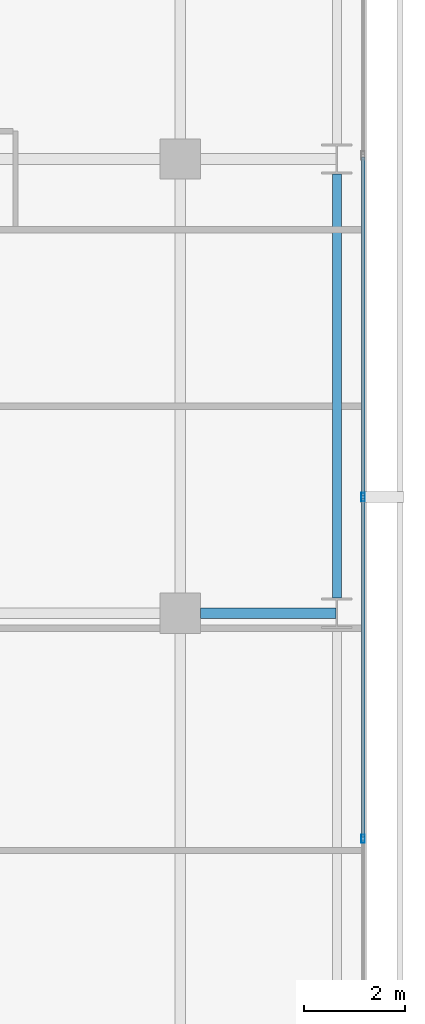
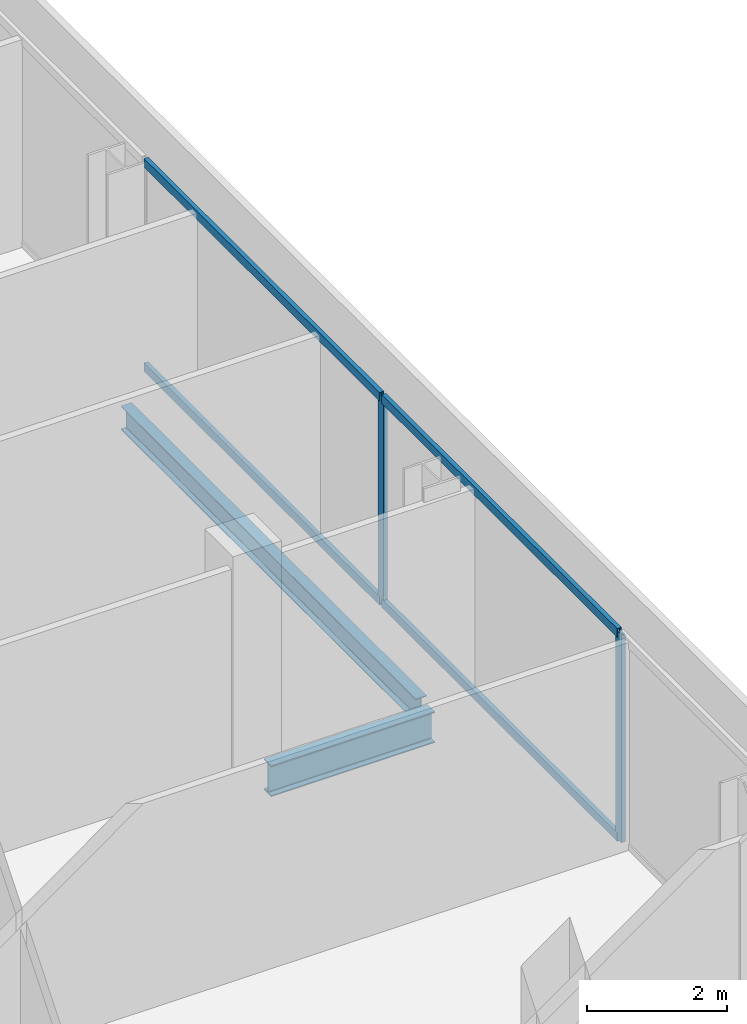
# One storey, part 17 of 34: 6 members, 2 beams, 1 element without a shape of its own.
"""IFC4 building model written with IfcOpenShell, lengths in metres."""

from ifc_helpers import new_model, si_unit, direction, frame, origin, origin_2d, place, context, subcontext, project, spatial, hollow_rectangle, i_section, extrude, material, layer, layer_set, material_profile, profile_set, type_object, element, aggregate, save


model = new_model("IFC4")

# Units and contexts
model_context = context("Model", 3, precision=1e-05, world=origin(), true_north=direction((0.0, 1.0)))
body_context = subcontext(model_context, "Body", "Model", "MODEL_VIEW")
ifc_project = project(units=[si_unit("LENGTHUNIT", "METRE"), si_unit("AREAUNIT", "SQUARE_METRE"), si_unit("VOLUMEUNIT", "CUBIC_METRE"), si_unit("PLANEANGLEUNIT", "RADIAN"), si_unit("MASSUNIT", "GRAM", prefix="KILO")], contexts=[model_context])

# Site, building, storey
site_placement = place(None, origin())
site = spatial("IfcSite", under=ifc_project, at=site_placement, CompositionType="ELEMENT")
building_placement = place(site_placement, origin())
building = spatial("IfcBuilding", under=site, at=building_placement, Name="Maruvema Waterfront Hotel and Observation Tower", CompositionType="ELEMENT")
storey_placement = place(building_placement, frame((0.0, 0.0, 208.25)))
storey = spatial("IfcBuildingStorey", under=building, at=storey_placement, Name="L51", CompositionType="ELEMENT", Elevation=208.25)

# Curtain wall, members
ifc_material_1 = material(Name="Anodised bronze aluminium and solar-control low-E IGU", Category="aluminium")
ifc_layer = layer(ifc_material_1, 0.159912109375, Name="Zone 2 Amber Inner Thermal Curtain Wall System CW-03")
ifc_layer_set = layer_set([ifc_layer], Name="Anodised bronze aluminium and solar-control low-E IGU")
curtain_wall_type = type_object("IfcCurtainWallType", Name="Zone 2 Amber Inner Thermal Curtain Wall System CW-03", PredefinedType="USERDEFINED", material=ifc_layer_set)
curtain_wall_placement = place(storey_placement, origin())
curtain_wall = element("IfcCurtainWall", 1, at=curtain_wall_placement, inside=storey, type_object=curtain_wall_type, Name="L51 Curtain Wall CW-L51-E", ObjectType="UNITISED CURTAIN WALL", PredefinedType="USERDEFINED")
ifc_material_2 = material(Name="Anodised architectural bronze aluminium", Category="aluminium")
ifc_material_profile_1 = material_profile(ifc_material_2, hollow_rectangle(XDim=0.070068359375, YDim=0.14990234375, WallThickness=0.00390625, at=origin_2d()), Name="ALU-T70x150")
ifc_profile_set_1 = profile_set([ifc_material_profile_1], Name="Anodised architectural bronze aluminium")
member_type_1 = type_object("IfcMemberType", Name="Curtain Wall Horizontal Transom ALU-T70x150", PredefinedType="USERDEFINED", material=ifc_profile_set_1)
member_1_placement = place(storey_placement, frame((62.419921875, 22.563232421875, 0.030029296875), z_axis=(0.0, 1.0, 0.0), x_axis=(-1.0, 0.0, 0.0)))
member_1 = element("IfcMember", 2, at=member_1_placement, type_object=member_type_1, Name="CW-03 transom 3.1", ObjectType="TRANSOM", PredefinedType="USERDEFINED", context=body_context, shape_type="SweptSolid", body=[
    extrude(hollow_rectangle(XDim=0.070068359375, YDim=0.14990234375, WallThickness=0.00390625, at=origin_2d()), origin(), (0.0, 0.0, 1.0), 6.706787109375),
])
member_2_placement = place(storey_placement, frame((62.419921875, 22.563232421875, 3.580078125), z_axis=(0.0, 1.0, 0.0), x_axis=(-1.0, 0.0, 0.0)))
member_2 = element("IfcMember", 3, at=member_2_placement, type_object=member_type_1, Name="CW-03 transom 3.2", ObjectType="TRANSOM", PredefinedType="USERDEFINED", context=body_context, shape_type="SweptSolid", body=[
    extrude(hollow_rectangle(XDim=0.070068359375, YDim=0.14990234375, WallThickness=0.00390625, at=origin_2d()), origin(), (0.0, 0.0, 1.0), 6.706787109375),
])
member_3_placement = place(storey_placement, frame((62.419921875, 29.330078125, 0.030029296875), z_axis=(0.0, 1.0, 0.0), x_axis=(-1.0, 0.0, 0.0)))
member_3 = element("IfcMember", 4, at=member_3_placement, type_object=member_type_1, Name="CW-03 transom 4.1", ObjectType="TRANSOM", PredefinedType="USERDEFINED", context=body_context, shape_type="SweptSolid", body=[
    extrude(hollow_rectangle(XDim=0.070068359375, YDim=0.14990234375, WallThickness=0.00390625, at=origin_2d()), origin(), (0.0, 0.0, 1.0), 6.70654296875),
])
member_4_placement = place(storey_placement, frame((62.419921875, 29.330078125, 3.580078125), z_axis=(0.0, 1.0, 0.0), x_axis=(-1.0, 0.0, 0.0)))
member_4 = element("IfcMember", 5, at=member_4_placement, type_object=member_type_1, Name="CW-03 transom 4.2", ObjectType="TRANSOM", PredefinedType="USERDEFINED", context=body_context, shape_type="SweptSolid", body=[
    extrude(hollow_rectangle(XDim=0.070068359375, YDim=0.14990234375, WallThickness=0.00390625, at=origin_2d()), origin(), (0.0, 0.0, 1.0), 6.70654296875),
])
ifc_material_3 = material(Name="Anodised architectural bronze aluminium", Category="aluminium")
ifc_material_profile_2 = material_profile(ifc_material_3, hollow_rectangle(XDim=0.06494140625, YDim=0.1650390625, WallThickness=0.00390625, at=origin_2d()), Name="ALU-M65x165")
ifc_profile_set_2 = profile_set([ifc_material_profile_2], Name="Anodised architectural bronze aluminium")
member_type_2 = type_object("IfcMemberType", Name="Curtain Wall Primary Mullion ALU-M65x165", PredefinedType="MULLION", material=ifc_profile_set_2)
member_5_placement = place(storey_placement, frame((62.419921875, 22.533447265625, 0.0), z_axis=(0.0, 0.0, 1.0), x_axis=(-1.0, 0.0, 0.0)))
member_5 = element("IfcMember", 6, at=member_5_placement, type_object=member_type_2, Name="CW-03 mullion 3", PredefinedType="MULLION", context=body_context, shape_type="SweptSolid", body=[
    extrude(hollow_rectangle(XDim=0.06494140625, YDim=0.1650390625, WallThickness=0.00390625, at=origin_2d()), origin(), (0.0, 0.0, 1.0), 3.610107421875),
])
member_6_placement = place(storey_placement, frame((62.419921875, 29.300048828125, 0.0), z_axis=(0.0, 0.0, 1.0), x_axis=(-1.0, 0.0, 0.0)))
member_6 = element("IfcMember", 7, at=member_6_placement, type_object=member_type_2, Name="CW-03 mullion 4", PredefinedType="MULLION", context=body_context, shape_type="SweptSolid", body=[
    extrude(hollow_rectangle(XDim=0.06494140625, YDim=0.1650390625, WallThickness=0.00390625, at=origin_2d()), origin(), (0.0, 0.0, 1.0), 3.610107421875),
])
aggregate(curtain_wall, [member_5, member_6, member_1, member_2, member_3, member_4])

# Beams
ifc_material_4 = material(Name="Steel ASTM A572 Grade 50", Category="steel")
ifc_material_profile_3 = material_profile(ifc_material_4, i_section(OverallWidth=0.178955078125, OverallDepth=0.409912109375, WebThickness=0.0087890625, FlangeThickness=0.014404296875, FilletRadius=0.014892578125, at=origin_2d()), Name="W410x67.0")
ifc_profile_set_3 = profile_set([ifc_material_profile_3], Name="Steel ASTM A572 Grade 50")
beam_type_1 = type_object("IfcBeamType", Name="Perimeter Spandrel Beam W410x67.0", PredefinedType="SPANDREL", material=ifc_profile_set_3)
beam_1_placement = place(storey_placement, frame((61.89990234375, 27.300048828125, -0.445068359375), z_axis=(0.0, 1.0, 0.0), x_axis=(-1.0, 0.0, 0.0)))
element("IfcBeam", 8, at=beam_1_placement, inside=storey, type_object=beam_type_1, Name="L51 Floor Girder NS-31", PredefinedType="SPANDREL", context=body_context, shape_type="SweptSolid", body=[
    extrude(i_section(OverallWidth=0.178955078125, OverallDepth=0.409912109375, WebThickness=0.0087890625, FlangeThickness=0.014404296875, FilletRadius=0.014892578125, at=origin_2d()), origin(), (0.0, 0.0, 1.0), 8.39990234375),
])
ifc_material_5 = material(Name="Steel ASTM A572 Grade 50", Category="steel")
ifc_material_profile_4 = material_profile(ifc_material_5, i_section(OverallWidth=0.2109375, OverallDepth=0.5390625, WebThickness=0.01171875, FlangeThickness=0.018798828125, FilletRadius=0.014892578125, at=origin_2d()), Name="W530x109.0")
ifc_profile_set_4 = profile_set([ifc_material_profile_4], Name="Steel ASTM A572 Grade 50")
beam_type_2 = type_object("IfcBeamType", Name="Primary Floor Girder W530x109.0", PredefinedType="BEAM", material=ifc_profile_set_4)
beam_2_placement = place(storey_placement, frame((59.199951171875, 27.0, -0.509521484375), z_axis=(1.0, 0.0, 0.0), x_axis=(0.0, 1.0, 0.0)))
element("IfcBeam", 9, at=beam_2_placement, inside=storey, type_object=beam_type_2, Name="L51 Floor Girder EW-22", PredefinedType="BEAM", context=body_context, shape_type="SweptSolid", body=[
    extrude(i_section(OverallWidth=0.2109375, OverallDepth=0.5390625, WebThickness=0.01171875, FlangeThickness=0.018798828125, FilletRadius=0.014892578125, at=origin_2d()), origin(), (0.0, 0.0, 1.0), 2.6875),
])

save(model, "model.ifc")
